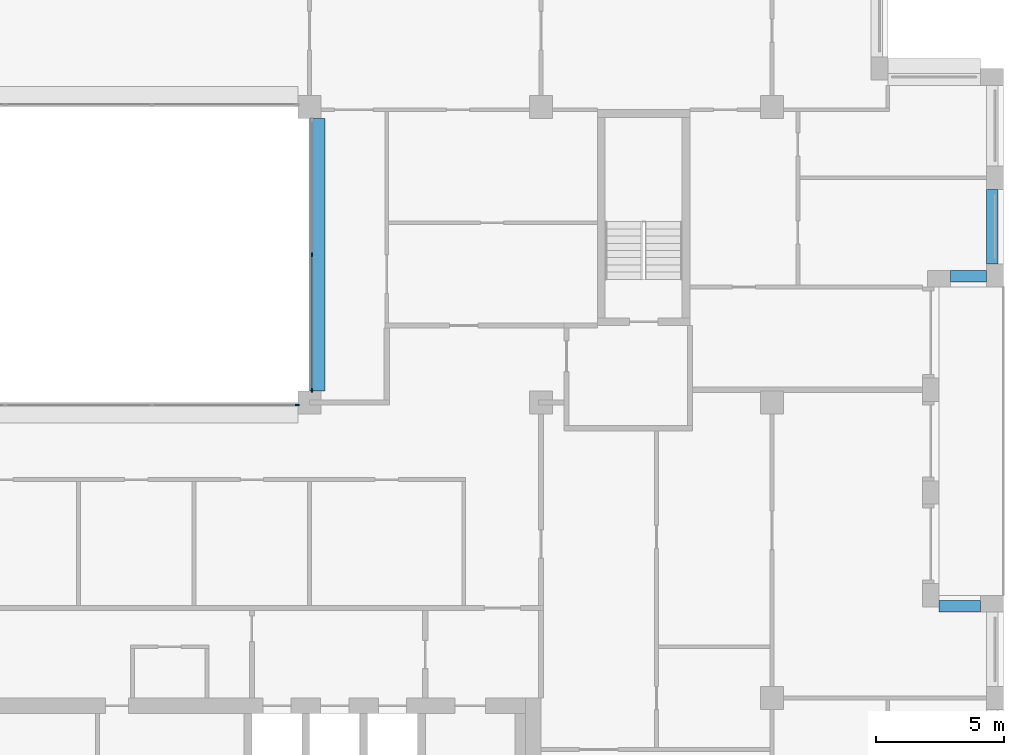
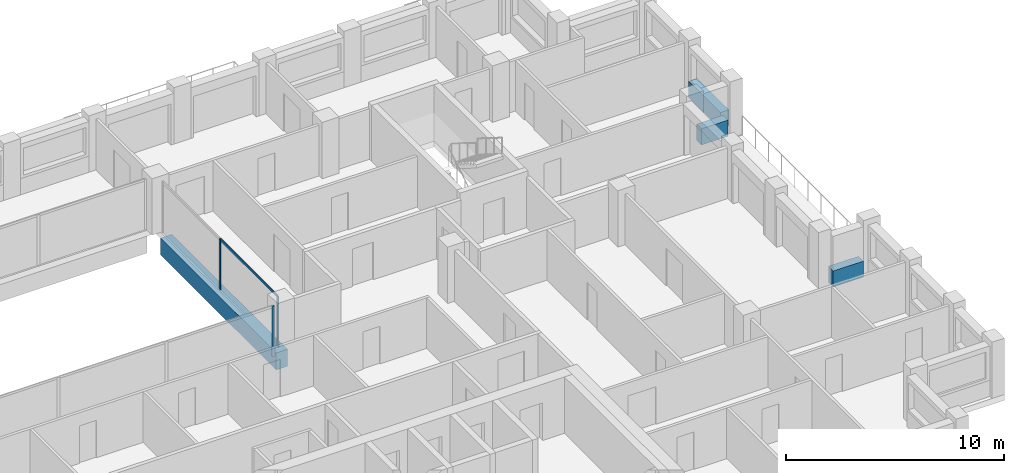
# One storey, part 4 of 15: 4 beams, 4 members, 2 elements without a shape of their own.
"""IFC4 building model written with IfcOpenShell, lengths in metres."""

from ifc_helpers import new_model, si_unit, direction, frame, origin, origin_2d, place, context, subcontext, project, spatial, rectangle, extrude, material, layer, layer_set, material_profile, profile_set, type_object, element, aggregate, save


model = new_model("IFC4")

# Units and contexts
model_context = context("Model", 3, precision=1e-05, world=origin(), true_north=direction((0.0, 1.0)))
body_context = subcontext(model_context, "Body", "Model", "MODEL_VIEW")
ifc_project = project(units=[si_unit("LENGTHUNIT", "METRE"), si_unit("AREAUNIT", "SQUARE_METRE"), si_unit("VOLUMEUNIT", "CUBIC_METRE"), si_unit("PLANEANGLEUNIT", "RADIAN"), si_unit("MASSUNIT", "GRAM", prefix="KILO")], contexts=[model_context])

# Site, building, storey
site_placement = place(None, origin())
site = spatial("IfcSite", under=ifc_project, at=site_placement, CompositionType="ELEMENT")
building_placement = place(site_placement, origin())
building = spatial("IfcBuilding", under=site, at=building_placement, Name="Brigalow Station Residences", CompositionType="ELEMENT")
storey_placement = place(building_placement, frame((0.0, 0.0, 226.35009765625)))
storey = spatial("IfcBuildingStorey", under=building, at=storey_placement, Name="L65", CompositionType="ELEMENT", Elevation=226.35009765625)

# Beam
ifc_material_1 = material(Name="Concrete C65", Category="concrete")
ifc_material_profile_1 = material_profile(ifc_material_1, rectangle(XDim=0.60009765625, YDim=0.949951171875, at=origin_2d()), Name="RC600x950")
ifc_profile_set_1 = profile_set([ifc_material_profile_1], Name="Concrete C65")
beam_type_1 = type_object("IfcBeamType", Name="ATRIUM EDGE GIRDER 600x950 C65", PredefinedType="BEAM", material=ifc_profile_set_1)
beam_1_placement = place(storey_placement, frame((45.300048828125, 24.449951171875, -0.795166015625), z_axis=(0.0, 1.0, 0.0), x_axis=(-1.0, 0.0, 0.0)))
element("IfcBeam", 1, at=beam_1_placement, inside=storey, type_object=beam_type_1, Name="ATRIUM EDGE GIRDER 5 L65", PredefinedType="BEAM", context=body_context, shape_type="SweptSolid", body=[
    extrude(rectangle(XDim=0.60009765625, YDim=0.949951171875, at=origin_2d()), origin(), (0.0, 0.0, 1.0), 10.60009765625),
])

# Curtain wall, member
ifc_material_2 = material(Name="Aluminium", Category="aluminium")
ifc_layer = layer(ifc_material_2, 0.14990234375)
ifc_layer_set = layer_set([ifc_layer], Name="ATRIUM FIRE-RATED GLAZING CURTAIN WALL")
curtain_wall_type = type_object("IfcCurtainWallType", Name="ATRIUM FIRE-RATED GLAZING CURTAIN WALL", PredefinedType="NOTDEFINED", material=ifc_layer_set)
curtain_wall_1_placement = place(storey_placement, origin())
curtain_wall_1 = element("IfcCurtainWall", 2, at=curtain_wall_1_placement, inside=storey, type_object=curtain_wall_type, Name="L65/cw/atrium-S", PredefinedType="NOTDEFINED")
ifc_material_3 = material(Name="Aluminium", Category="aluminium")
ifc_material_profile_2 = material_profile(ifc_material_3, rectangle(XDim=0.06005859375, YDim=0.14990234375, at=origin_2d()), Name="ATRIUM FIRE-RATED GLAZING MULLION 60x150")
ifc_profile_set_2 = profile_set([ifc_material_profile_2], Name="Aluminium")
member_type_1 = type_object("IfcMemberType", Name="ATRIUM FIRE-RATED GLAZING MULLION 60x150", PredefinedType="MULLION", material=ifc_profile_set_2)
member_1_placement = place(storey_placement, frame((44.52001953125, 23.89990234375, 0.0), z_axis=(0.0, 0.0, 1.0), x_axis=(0.0, 1.0, 0.0)))
member_1 = element("IfcMember", 3, at=member_1_placement, type_object=member_type_1, Name="L65/cw/atrium-S/M03", PredefinedType="MULLION", context=body_context, shape_type="SweptSolid", body=[
    extrude(rectangle(XDim=0.06005859375, YDim=0.14990234375, at=origin_2d()), origin(), (0.0, 0.0, 1.0), 2.829833984375),
])
aggregate(curtain_wall_1, [member_1])

# Curtain wall, members
curtain_wall_2_placement = place(storey_placement, origin())
curtain_wall_2 = element("IfcCurtainWall", 4, at=curtain_wall_2_placement, inside=storey, type_object=curtain_wall_type, Name="L65/cw/atrium-E", PredefinedType="NOTDEFINED")
member_2_placement = place(storey_placement, frame((45.10009765625, 24.47998046875, 0.0), z_axis=(0.0, 0.0, 1.0), x_axis=(-1.0, 0.0, 0.0)))
member_2 = element("IfcMember", 5, at=member_2_placement, type_object=member_type_1, Name="L65/cw/atrium-E/M00", PredefinedType="MULLION", context=body_context, shape_type="SweptSolid", body=[
    extrude(rectangle(XDim=0.06005859375, YDim=0.14990234375, at=origin_2d()), origin(), (0.0, 0.0, 1.0), 2.829833984375),
])
member_3_placement = place(storey_placement, frame((45.10009765625, 29.75, 0.0), z_axis=(0.0, 0.0, 1.0), x_axis=(-1.0, 0.0, 0.0)))
member_3 = element("IfcMember", 6, at=member_3_placement, type_object=member_type_1, Name="L65/cw/atrium-E/M01", PredefinedType="MULLION", context=body_context, shape_type="SweptSolid", body=[
    extrude(rectangle(XDim=0.06005859375, YDim=0.14990234375, at=origin_2d()), origin(), (0.0, 0.0, 1.0), 2.829833984375),
])
ifc_material_4 = material(Name="Aluminium", Category="aluminium")
ifc_material_profile_3 = material_profile(ifc_material_4, rectangle(XDim=0.06005859375, YDim=0.1201171875, at=origin_2d()), Name="ATRIUM FIRE-RATED GLAZING TRANSOM 60x120")
ifc_profile_set_3 = profile_set([ifc_material_profile_3], Name="Aluminium")
member_type_2 = type_object("IfcMemberType", Name="ATRIUM FIRE-RATED GLAZING TRANSOM 60x120", PredefinedType="USERDEFINED", material=ifc_profile_set_3)
member_4_placement = place(storey_placement, frame((45.10009765625, 24.510009765625, 2.7998046875), z_axis=(0.0, 1.0, 0.0), x_axis=(-1.0, 0.0, 0.0)))
member_4 = element("IfcMember", 7, at=member_4_placement, type_object=member_type_2, Name="L65/cw/atrium-E/T00-00", ObjectType="TRANSOM", PredefinedType="USERDEFINED", context=body_context, shape_type="SweptSolid", body=[
    extrude(rectangle(XDim=0.06005859375, YDim=0.1201171875, at=origin_2d()), origin(), (0.0, 0.0, 1.0), 5.2099609375),
])
aggregate(curtain_wall_2, [member_2, member_3, member_4])

# Beams
ifc_material_5 = material(Name="Concrete C50", Category="concrete")
ifc_material_profile_4 = material_profile(ifc_material_5, rectangle(XDim=0.449951171875, YDim=0.89990234375, at=origin_2d()), Name="RC450x900")
ifc_profile_set_4 = profile_set([ifc_material_profile_4], Name="Concrete C50")
beam_type_2 = type_object("IfcBeamType", Name="SPANDREL BEAM 450x900 C50", PredefinedType="SPANDREL", material=ifc_profile_set_4)
beam_2_placement = place(storey_placement, frame((71.10009765625, 16.074951171875, 0.449951171875), z_axis=(-1.0, 0.0, 0.0), x_axis=(0.0, -1.0, 0.0)))
element("IfcBeam", 8, at=beam_2_placement, inside=storey, type_object=beam_type_2, Name="L65/spandrel/W-L65-11", PredefinedType="SPANDREL", context=body_context, shape_type="SweptSolid", body=[
    extrude(rectangle(XDim=0.449951171875, YDim=0.89990234375, at=origin_2d()), origin(), (0.0, 0.0, 1.0), 1.60009765625),
])
beam_3_placement = place(storey_placement, frame((69.949951171875, 28.925048828125, 0.449951171875), z_axis=(1.0, 0.0, 0.0), x_axis=(0.0, 1.0, 0.0)))
element("IfcBeam", 9, at=beam_3_placement, inside=storey, type_object=beam_type_2, Name="L65/spandrel/W-L65-15", PredefinedType="SPANDREL", context=body_context, shape_type="SweptSolid", body=[
    extrude(rectangle(XDim=0.449951171875, YDim=0.89990234375, at=origin_2d()), origin(), (0.0, 0.0, 1.0), 1.400146484375),
])
beam_4_placement = place(storey_placement, frame((71.574951171875, 29.39990234375, 0.449951171875), z_axis=(0.0, 1.0, 0.0), x_axis=(-1.0, 0.0, 0.0)))
element("IfcBeam", 10, at=beam_4_placement, inside=storey, type_object=beam_type_2, Name="L65/spandrel/W-L65-16", PredefinedType="SPANDREL", context=body_context, shape_type="SweptSolid", body=[
    extrude(rectangle(XDim=0.449951171875, YDim=0.89990234375, at=origin_2d()), origin(), (0.0, 0.0, 1.0), 2.900146484375),
])

save(model, "model.ifc")
